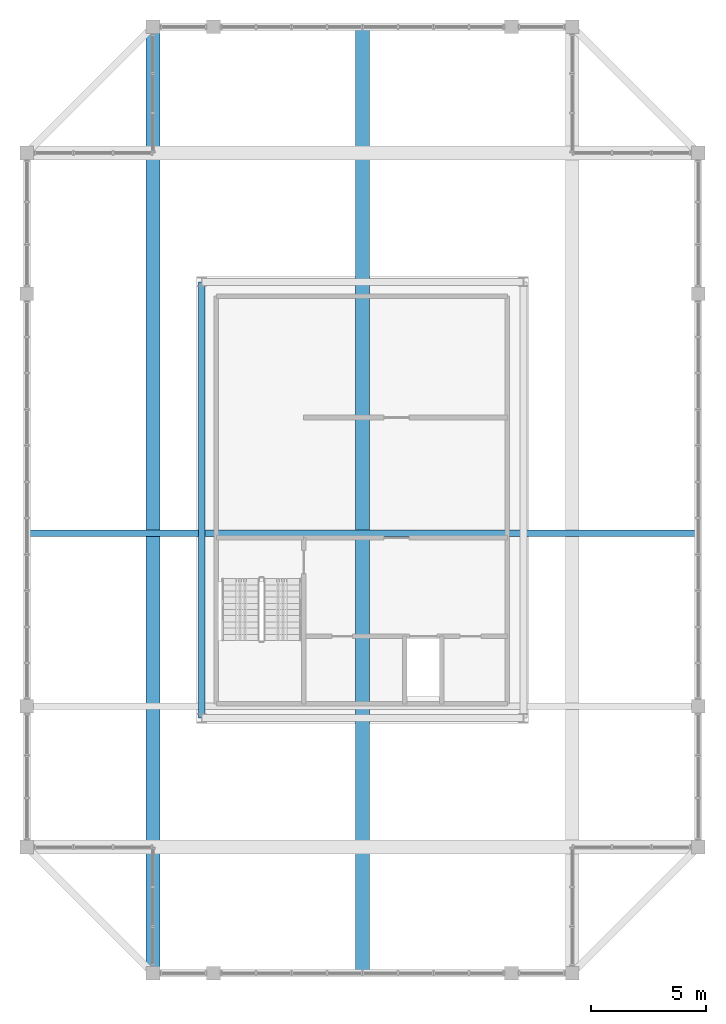
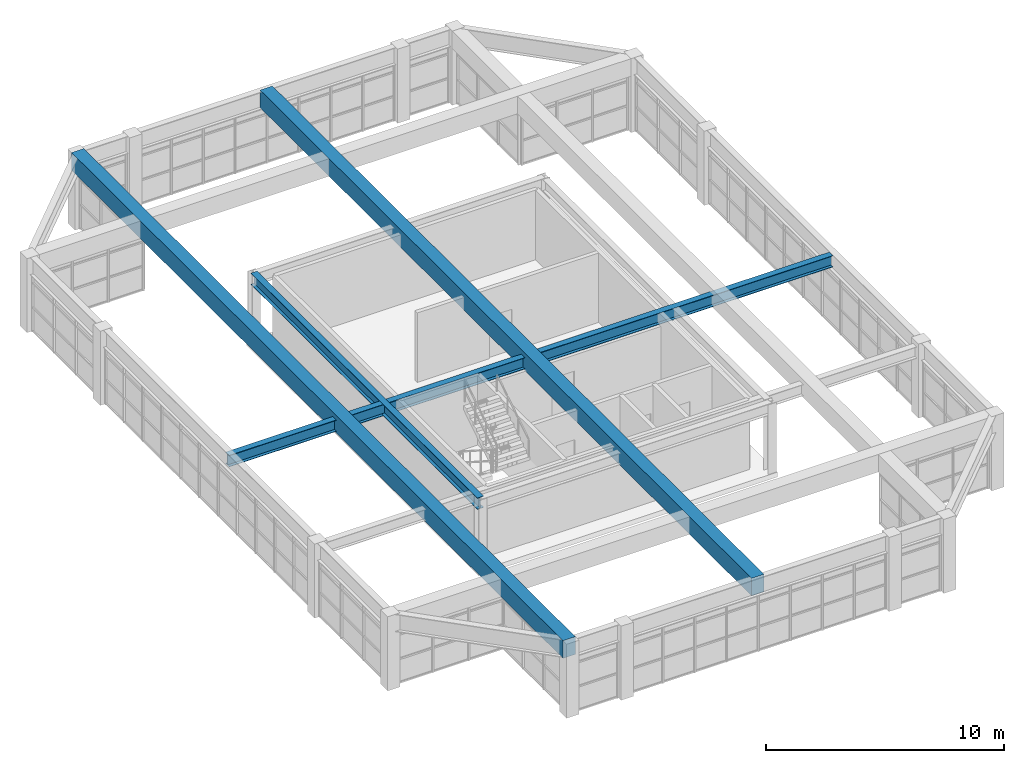
# One storey, part 12 of 28: 4 beams.
"""IFC4 building model written with IfcOpenShell, lengths in metres."""

from ifc_helpers import new_model, si_unit, direction, frame, origin, origin_2d, place, context, subcontext, project, spatial, rectangle, i_section, extrude, source, transform, mapped, material, material_profile, profile_set, type_object, element, save


model = new_model("IFC4")

# Units and contexts
model_context = context("Model", 3, precision=1e-05, world=origin(), true_north=direction((0.0, 1.0)))
body_context = subcontext(model_context, "Body", "Model", "MODEL_VIEW")
ifc_project = project(units=[si_unit("LENGTHUNIT", "METRE"), si_unit("AREAUNIT", "SQUARE_METRE"), si_unit("VOLUMEUNIT", "CUBIC_METRE"), si_unit("PLANEANGLEUNIT", "RADIAN"), si_unit("MASSUNIT", "GRAM", prefix="KILO")], contexts=[model_context])

# Site, building, storey
site_placement = place(None, origin())
site = spatial("IfcSite", under=ifc_project, at=site_placement, CompositionType="ELEMENT")
building_placement = place(site_placement, origin())
building = spatial("IfcBuilding", under=site, at=building_placement, Name="Saelheon Loggia Tower", CompositionType="ELEMENT")
storey_placement = place(building_placement, frame((0.0, 0.0, 271.199951171875)))
storey = spatial("IfcBuildingStorey", under=building, at=storey_placement, Name="CR6", CompositionType="ELEMENT", Elevation=271.199951171875)

# Beams
ifc_material_1 = material(Name="Steel SM355", Category="steel")
ifc_material_profile_1 = material_profile(ifc_material_1, i_section(OverallWidth=0.300048828125, OverallDepth=0.587890625, WebThickness=0.011962890625, FlangeThickness=0.02001953125, at=origin_2d()), Name="H-588x300x12x20")
ifc_profile_set_1 = profile_set([ifc_material_profile_1], Name="Steel SM355")
beam_type_1 = type_object("IfcBeamType", Name="Beam_Girder_Steel_H588", PredefinedType="BEAM", material=ifc_profile_set_1)
shared_shape_1 = source(origin(), body_context, "Body", "SweptSolid", [
    extrude(i_section(OverallWidth=0.300048828125, OverallDepth=0.587890625, WebThickness=0.011962890625, FlangeThickness=0.02001953125, at=origin_2d()), origin(), (0.0, 0.0, 1.0), 19.0400390625),
])
beam_1_placement = place(storey_placement, frame((30.97998046875, 17.47998046875, 3.276123046875), z_axis=(0.0, 1.0, 0.0), x_axis=(-1.0, 0.0, 0.0)))
element("IfcBeam", 1, at=beam_1_placement, inside=storey, type_object=beam_type_1, Name="BM-CR6-PL-W", PredefinedType="BEAM", context=body_context, shape_type="MappedRepresentation", body=[
    mapped(shared_shape_1, transform((0.0, 0.0, 0.0), scale=1.0)),
])
ifc_material_2 = material(Name="Precast Concrete C45/55", Category="concrete")
ifc_material_profile_2 = material_profile(ifc_material_2, rectangle(XDim=0.60009765625, YDim=0.89990234375, at=origin_2d()), Name="RC-600x900")
ifc_profile_set_2 = profile_set([ifc_material_profile_2], Name="Precast Concrete C45/55")
beam_type_2 = type_object("IfcBeamType", Name="CrownFrame_Ring_RC600x900", PredefinedType="BEAM", material=ifc_profile_set_2)
shared_shape_2 = source(origin(), body_context, "Body", "SweptSolid", [
    extrude(rectangle(XDim=0.60009765625, YDim=0.89990234375, at=origin_2d()), origin(), (0.0, 0.0, 1.0), 41.2998046875),
])
for number, where, z_axis, x_axis, name in (
    (2, (28.85009765625, 6.35009765625, 3.35009765625), (0.0, 1.0, 0.0), (-1.0, 0.0, 0.0), "CF-RING-CR6-RAF-W"),
    (3, (38.0, 6.35009765625, 3.35009765625), (0.0, 1.0, 0.0), (-1.0, 0.0, 0.0), "CF-RING-CR6-RAF-M"),
):
    element("IfcBeam", number, at=place(storey_placement, frame(where, z_axis=z_axis, x_axis=x_axis)), inside=storey, type_object=beam_type_2, Name=name, PredefinedType="BEAM", context=body_context, shape_type="MappedRepresentation", body=[
        mapped(shared_shape_2, transform((0.0, 0.0, 0.0), scale=1.0)),
    ])
shared_shape_3 = source(origin(), body_context, "Body", "SweptSolid", [
    extrude(i_section(OverallWidth=0.300048828125, OverallDepth=0.587890625, WebThickness=0.011962890625, FlangeThickness=0.02001953125, at=origin_2d()), origin(), (0.0, 0.0, 1.0), 29.2998046875),
])
beam_2_placement = place(storey_placement, frame((23.35009765625, 25.550048828125, 3.276123046875), z_axis=(1.0, 0.0, 0.0), x_axis=(0.0, 1.0, 0.0)))
element("IfcBeam", 4, at=beam_2_placement, inside=storey, type_object=beam_type_1, Name="BM-CR6-FLAT-N", PredefinedType="BEAM", context=body_context, shape_type="MappedRepresentation", body=[
    mapped(shared_shape_3, transform((0.0, 0.0, 0.0), scale=1.0)),
])

save(model, "model.ifc")
